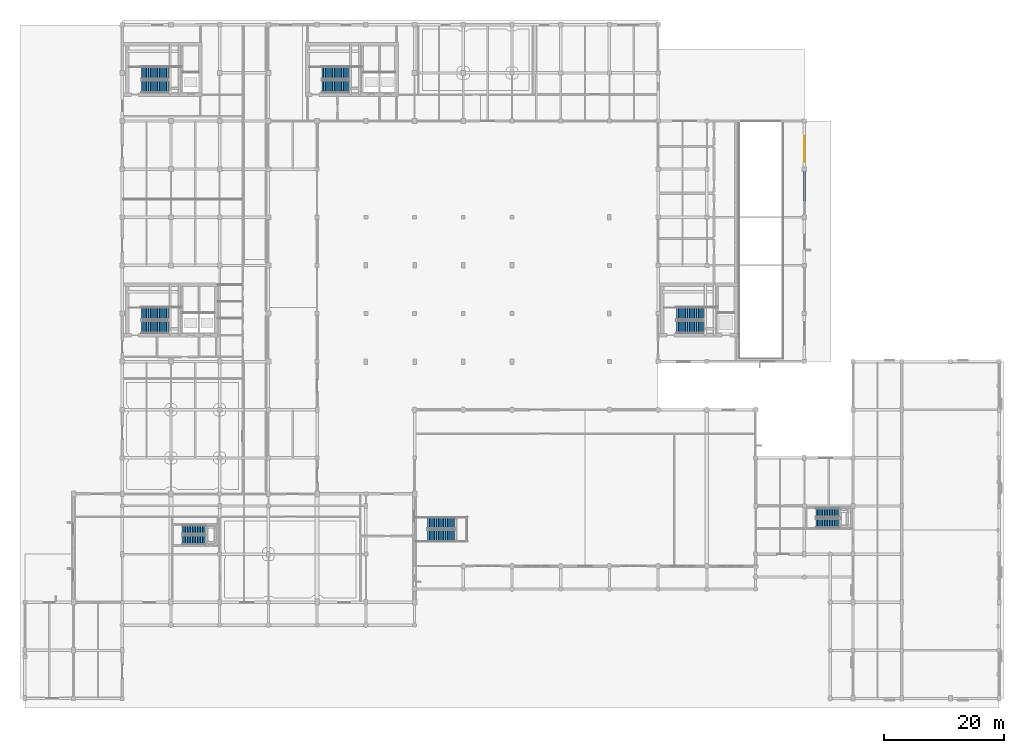
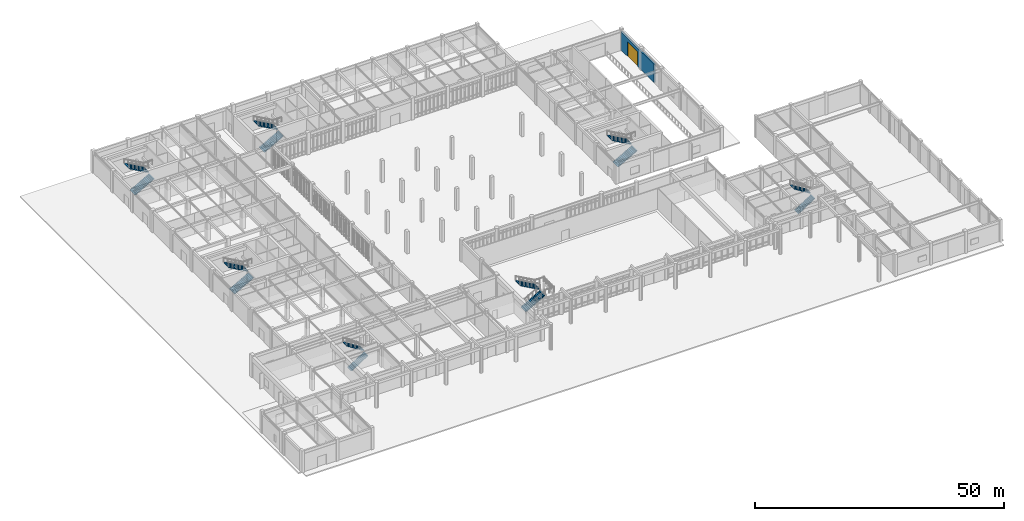
# One storey, part 49 of 62: 14 stair flights, 1 door, 1 wall, 1 opening, 7 elements without a shape of their own.
"""IFC4 building model written with IfcOpenShell, lengths in metres."""

from ifc_helpers import new_model, si_unit, direction, frame, frame_2d, origin, place, context, subcontext, project, spatial, polyline, rectangle, outline, extrude, material, layer, layer_set, type_object, element, fill, aggregate, save


model = new_model("IFC4")

# Units and contexts
model_context = context("Model", 3, precision=1e-05, world=origin(), true_north=direction((0.0, 1.0)))
body_context = subcontext(model_context, "Body", "Model", "MODEL_VIEW")
ifc_project = project(units=[si_unit("LENGTHUNIT", "METRE"), si_unit("AREAUNIT", "SQUARE_METRE"), si_unit("VOLUMEUNIT", "CUBIC_METRE"), si_unit("PLANEANGLEUNIT", "RADIAN"), si_unit("MASSUNIT", "GRAM", prefix="KILO")], contexts=[model_context])

# Site, building, storey
site_placement = place(None, origin())
site = spatial("IfcSite", under=ifc_project, at=site_placement, CompositionType="ELEMENT")
building_placement = place(site_placement, origin())
building = spatial("IfcBuilding", under=site, at=building_placement, Name="Tarnveldt Square Police Headquarters", CompositionType="ELEMENT")
storey_placement = place(building_placement, origin())
storey = spatial("IfcBuildingStorey", under=building, at=storey_placement, Name="L00", CompositionType="ELEMENT", Elevation=0.0)

# Wall, opening, door
ifc_material_1 = material(Name="Concrete 40 MPa", Category="concrete")
ifc_layer = layer(ifc_material_1, 0.35009765625)
ifc_layer_set = layer_set([ifc_layer], Name="Concrete 40 MPa")
wall_type = type_object("IfcWallType", Name="WL-CUST-350", PredefinedType="SOLIDWALL", material=ifc_layer_set)
wall_placement = place(storey_placement, frame((129.60009765625, 82.666748046875, 0.0), z_axis=(0.0, 0.0, 1.0), x_axis=(0.0, 1.0, 0.0)))
wall = element("IfcWall", 1, at=wall_placement, inside=storey, type_object=wall_type, Name="L00 Brutalist Exterior Wall 0053", PredefinedType="SOLIDWALL", context=body_context, shape_type="SweptSolid", body=[
    extrude(rectangle(XDim=13.333251953125, YDim=0.35009765625, at=frame_2d((6.66650390625, 0.0))), origin(), (0.0, 0.0, 1.0), 4.511962890625),
])
opening_placement = place(wall_placement, frame((6.566650390625, 0.0, 0.0)))
opening = element("IfcOpeningElement", 2, at=opening_placement, cuts=wall, Name="Opening D-SP2", PredefinedType="OPENING", context=body_context, shape_type="SweptSolid", body=[
    extrude(rectangle(XDim=4.199951171875, YDim=3.60009765625, at=frame_2d((2.10009765625, 1.800048828125))), frame((0.0, 0.18505859375, 0.0), z_axis=(0.0, -1.0, 0.0), x_axis=(1.0, 0.0, 0.0)), (0.0, 0.0, 1.0), 0.3701171875),
])
ifc_material_2 = material(Name="Steel 350W", Category="steel")
door_type = type_object("IfcDoorType", Name="GT-SP-4200", OperationType="ROLLINGUP", PredefinedType="GATE", material=ifc_material_2)
door_placement = place(opening_placement, frame((4.199951171875, 0.0, 0.0), z_axis=(0.0, 0.0, 1.0), x_axis=(-1.0, 0.0, 0.0)))
door = element("IfcDoor", 3, at=door_placement, inside=storey, type_object=door_type, Name="Secure Vehicular Sally-Port Gate D-SP2", OperationType="ROLLINGUP", OverallHeight=3.60009765625, OverallWidth=4.199951171875, PredefinedType="GATE", context=body_context, shape_type="SweptSolid", body=[
    extrude(rectangle(XDim=4.199951171875, YDim=3.60009765625, at=frame_2d((2.10009765625, 1.800048828125))), frame((0.0, 0.02490234375, 0.0), z_axis=(0.0, -1.0, 0.0), x_axis=(1.0, 0.0, 0.0)), (0.0, 0.0, 1.0), 0.050048828125),
])
fill(opening, door)

# Stair, stair flights
stair_type_1 = type_object("IfcStairType", Name="STR-HT-48A", PredefinedType="HALF_TURN_STAIR", material=ifc_material_1)
stair_1_placement = place(storey_placement, origin())
stair_1 = element("IfcStair", 4, at=stair_1_placement, inside=storey, type_object=stair_type_1, Name="L00 Core K1 Exit Stair ST1", PredefinedType="HALF_TURN_STAIR")
stair_flight_type_1 = type_object("IfcStairFlightType", Name="STF-HT-48A", PredefinedType="STRAIGHT", material=ifc_material_1)
stair_flight_1_placement = place(storey_placement, frame((19.3701171875, 61.7451171875, 0.0), z_axis=(0.0, 0.0, 1.0), x_axis=(1.0, 0.0, 0.0)))
stair_flight_1 = element("IfcStairFlight", 5, at=stair_flight_1_placement, type_object=stair_flight_type_1, Name="ST1 flight 1", NumberOfRisers=16, NumberOfTreads=15, PredefinedType="STRAIGHT", RiserHeight=0.16875, TreadLength=0.3, context=body_context, shape_type="SweptSolid", body=[
    extrude(outline(polyline([(0.0, 0.0), (0.0, 0.168701171875), (0.300048828125, 0.168701171875), (0.300048828125, 0.33740234375), (0.60009765625, 0.33740234375), (0.60009765625, 0.50634765625), (0.89990234375, 0.50634765625), (0.89990234375, 0.675048828125), (1.199951171875, 0.675048828125), (1.199951171875, 0.84375), (1.5, 0.84375), (1.5, 1.012451171875), (1.800048828125, 1.012451171875), (1.800048828125, 1.18115234375), (2.10009765625, 1.18115234375), (2.10009765625, 1.35009765625), (2.39990234375, 1.35009765625), (2.39990234375, 1.518798828125), (2.699951171875, 1.518798828125), (2.699951171875, 1.6875), (3.0, 1.6875), (3.0, 1.856201171875), (3.300048828125, 1.856201171875), (3.300048828125, 2.02490234375), (3.60009765625, 2.02490234375), (3.60009765625, 2.19384765625), (3.89990234375, 2.19384765625), (3.89990234375, 2.362548828125), (4.199951171875, 2.362548828125), (4.199951171875, 2.53125), (4.5, 2.53125), (4.5, 2.699951171875), (4.5, 2.359375), (0.3056640625, 0.0), (0.0, 0.0)])), frame((0.0, 1.02490234375, 0.0), z_axis=(0.0, -1.0, 0.0), x_axis=(1.0, 0.0, 0.0)), (0.0, 0.0, 1.0), 2.050048828125),
])
stair_flight_2_placement = place(storey_placement, frame((23.8701171875, 63.9951171875, 2.699951171875), z_axis=(0.0, 0.0, 1.0), x_axis=(-1.0, 0.0, 0.0)))
stair_flight_2 = element("IfcStairFlight", 6, at=stair_flight_2_placement, type_object=stair_flight_type_1, Name="ST1 flight 2", NumberOfRisers=16, NumberOfTreads=15, PredefinedType="STRAIGHT", RiserHeight=0.16875, TreadLength=0.3, context=body_context, shape_type="SweptSolid", body=[
    extrude(outline(polyline([(0.0, 0.0), (0.0, 0.168701171875), (0.300048828125, 0.168701171875), (0.300048828125, 0.33740234375), (0.60009765625, 0.33740234375), (0.60009765625, 0.50634765625), (0.89990234375, 0.50634765625), (0.89990234375, 0.675048828125), (1.199951171875, 0.675048828125), (1.199951171875, 0.84375), (1.5, 0.84375), (1.5, 1.012451171875), (1.800048828125, 1.012451171875), (1.800048828125, 1.18115234375), (2.10009765625, 1.18115234375), (2.10009765625, 1.35009765625), (2.39990234375, 1.35009765625), (2.39990234375, 1.518798828125), (2.699951171875, 1.518798828125), (2.699951171875, 1.6875), (3.0, 1.6875), (3.0, 1.856201171875), (3.300048828125, 1.856201171875), (3.300048828125, 2.02490234375), (3.60009765625, 2.02490234375), (3.60009765625, 2.19384765625), (3.89990234375, 2.19384765625), (3.89990234375, 2.362548828125), (4.199951171875, 2.362548828125), (4.199951171875, 2.53125), (4.5, 2.53125), (4.5, 2.699951171875), (4.5, 2.359375), (0.3056640625, 0.0), (0.0, 0.0)])), frame((0.0, 1.02490234375, 0.0), z_axis=(0.0, -1.0, 0.0), x_axis=(1.0, 0.0, 0.0)), (0.0, 0.0, 1.0), 2.050048828125),
])
aggregate(stair_1, [stair_flight_1, stair_flight_2])

stair_2_placement = place(storey_placement, origin())
stair_2 = element("IfcStair", 7, at=stair_2_placement, inside=storey, type_object=stair_type_1, Name="L00 Core K2 Exit Stair ST2", PredefinedType="HALF_TURN_STAIR")
stair_flight_3_placement = place(storey_placement, frame((19.3701171875, 101.7451171875, 0.0), z_axis=(0.0, 0.0, 1.0), x_axis=(1.0, 0.0, 0.0)))
stair_flight_3 = element("IfcStairFlight", 8, at=stair_flight_3_placement, type_object=stair_flight_type_1, Name="ST2 flight 1", NumberOfRisers=16, NumberOfTreads=15, PredefinedType="STRAIGHT", RiserHeight=0.16875, TreadLength=0.3, context=body_context, shape_type="SweptSolid", body=[
    extrude(outline(polyline([(0.0, 0.0), (0.0, 0.168701171875), (0.300048828125, 0.168701171875), (0.300048828125, 0.33740234375), (0.60009765625, 0.33740234375), (0.60009765625, 0.50634765625), (0.89990234375, 0.50634765625), (0.89990234375, 0.675048828125), (1.199951171875, 0.675048828125), (1.199951171875, 0.84375), (1.5, 0.84375), (1.5, 1.012451171875), (1.800048828125, 1.012451171875), (1.800048828125, 1.18115234375), (2.10009765625, 1.18115234375), (2.10009765625, 1.35009765625), (2.39990234375, 1.35009765625), (2.39990234375, 1.518798828125), (2.699951171875, 1.518798828125), (2.699951171875, 1.6875), (3.0, 1.6875), (3.0, 1.856201171875), (3.300048828125, 1.856201171875), (3.300048828125, 2.02490234375), (3.60009765625, 2.02490234375), (3.60009765625, 2.19384765625), (3.89990234375, 2.19384765625), (3.89990234375, 2.362548828125), (4.199951171875, 2.362548828125), (4.199951171875, 2.53125), (4.5, 2.53125), (4.5, 2.699951171875), (4.5, 2.359375), (0.3056640625, 0.0), (0.0, 0.0)])), frame((0.0, 1.02490234375, 0.0), z_axis=(0.0, -1.0, 0.0), x_axis=(1.0, 0.0, 0.0)), (0.0, 0.0, 1.0), 2.050048828125),
])
stair_flight_4_placement = place(storey_placement, frame((23.8701171875, 103.9951171875, 2.699951171875), z_axis=(0.0, 0.0, 1.0), x_axis=(-1.0, 0.0, 0.0)))
stair_flight_4 = element("IfcStairFlight", 9, at=stair_flight_4_placement, type_object=stair_flight_type_1, Name="ST2 flight 2", NumberOfRisers=16, NumberOfTreads=15, PredefinedType="STRAIGHT", RiserHeight=0.16875, TreadLength=0.3, context=body_context, shape_type="SweptSolid", body=[
    extrude(outline(polyline([(0.0, 0.0), (0.0, 0.168701171875), (0.300048828125, 0.168701171875), (0.300048828125, 0.33740234375), (0.60009765625, 0.33740234375), (0.60009765625, 0.50634765625), (0.89990234375, 0.50634765625), (0.89990234375, 0.675048828125), (1.199951171875, 0.675048828125), (1.199951171875, 0.84375), (1.5, 0.84375), (1.5, 1.012451171875), (1.800048828125, 1.012451171875), (1.800048828125, 1.18115234375), (2.10009765625, 1.18115234375), (2.10009765625, 1.35009765625), (2.39990234375, 1.35009765625), (2.39990234375, 1.518798828125), (2.699951171875, 1.518798828125), (2.699951171875, 1.6875), (3.0, 1.6875), (3.0, 1.856201171875), (3.300048828125, 1.856201171875), (3.300048828125, 2.02490234375), (3.60009765625, 2.02490234375), (3.60009765625, 2.19384765625), (3.89990234375, 2.19384765625), (3.89990234375, 2.362548828125), (4.199951171875, 2.362548828125), (4.199951171875, 2.53125), (4.5, 2.53125), (4.5, 2.699951171875), (4.5, 2.359375), (0.3056640625, 0.0), (0.0, 0.0)])), frame((0.0, 1.02490234375, 0.0), z_axis=(0.0, -1.0, 0.0), x_axis=(1.0, 0.0, 0.0)), (0.0, 0.0, 1.0), 2.050048828125),
])
aggregate(stair_2, [stair_flight_3, stair_flight_4])

stair_3_placement = place(storey_placement, origin())
stair_3 = element("IfcStair", 10, at=stair_3_placement, inside=storey, type_object=stair_type_1, Name="L00 Core K3 Exit Stair ST3", PredefinedType="HALF_TURN_STAIR")
stair_flight_5_placement = place(storey_placement, frame((49.3701171875, 101.7451171875, 0.0), z_axis=(0.0, 0.0, 1.0), x_axis=(1.0, 0.0, 0.0)))
stair_flight_5 = element("IfcStairFlight", 11, at=stair_flight_5_placement, type_object=stair_flight_type_1, Name="ST3 flight 1", NumberOfRisers=16, NumberOfTreads=15, PredefinedType="STRAIGHT", RiserHeight=0.16875, TreadLength=0.3, context=body_context, shape_type="SweptSolid", body=[
    extrude(outline(polyline([(0.0, 0.0), (0.0, 0.168701171875), (0.300048828125, 0.168701171875), (0.300048828125, 0.33740234375), (0.60009765625, 0.33740234375), (0.60009765625, 0.50634765625), (0.89990234375, 0.50634765625), (0.89990234375, 0.675048828125), (1.199951171875, 0.675048828125), (1.199951171875, 0.84375), (1.5, 0.84375), (1.5, 1.012451171875), (1.800048828125, 1.012451171875), (1.800048828125, 1.18115234375), (2.10009765625, 1.18115234375), (2.10009765625, 1.35009765625), (2.39990234375, 1.35009765625), (2.39990234375, 1.518798828125), (2.699951171875, 1.518798828125), (2.699951171875, 1.6875), (3.0, 1.6875), (3.0, 1.856201171875), (3.300048828125, 1.856201171875), (3.300048828125, 2.02490234375), (3.60009765625, 2.02490234375), (3.60009765625, 2.19384765625), (3.89990234375, 2.19384765625), (3.89990234375, 2.362548828125), (4.199951171875, 2.362548828125), (4.199951171875, 2.53125), (4.5, 2.53125), (4.5, 2.699951171875), (4.5, 2.359375), (0.3056640625, 0.0), (0.0, 0.0)])), frame((0.0, 1.02490234375, 0.0), z_axis=(0.0, -1.0, 0.0), x_axis=(1.0, 0.0, 0.0)), (0.0, 0.0, 1.0), 2.050048828125),
])
stair_flight_6_placement = place(storey_placement, frame((53.8701171875, 103.9951171875, 2.699951171875), z_axis=(0.0, 0.0, 1.0), x_axis=(-1.0, 0.0, 0.0)))
stair_flight_6 = element("IfcStairFlight", 12, at=stair_flight_6_placement, type_object=stair_flight_type_1, Name="ST3 flight 2", NumberOfRisers=16, NumberOfTreads=15, PredefinedType="STRAIGHT", RiserHeight=0.16875, TreadLength=0.3, context=body_context, shape_type="SweptSolid", body=[
    extrude(outline(polyline([(0.0, 0.0), (0.0, 0.168701171875), (0.300048828125, 0.168701171875), (0.300048828125, 0.33740234375), (0.60009765625, 0.33740234375), (0.60009765625, 0.50634765625), (0.89990234375, 0.50634765625), (0.89990234375, 0.675048828125), (1.199951171875, 0.675048828125), (1.199951171875, 0.84375), (1.5, 0.84375), (1.5, 1.012451171875), (1.800048828125, 1.012451171875), (1.800048828125, 1.18115234375), (2.10009765625, 1.18115234375), (2.10009765625, 1.35009765625), (2.39990234375, 1.35009765625), (2.39990234375, 1.518798828125), (2.699951171875, 1.518798828125), (2.699951171875, 1.6875), (3.0, 1.6875), (3.0, 1.856201171875), (3.300048828125, 1.856201171875), (3.300048828125, 2.02490234375), (3.60009765625, 2.02490234375), (3.60009765625, 2.19384765625), (3.89990234375, 2.19384765625), (3.89990234375, 2.362548828125), (4.199951171875, 2.362548828125), (4.199951171875, 2.53125), (4.5, 2.53125), (4.5, 2.699951171875), (4.5, 2.359375), (0.3056640625, 0.0), (0.0, 0.0)])), frame((0.0, 1.02490234375, 0.0), z_axis=(0.0, -1.0, 0.0), x_axis=(1.0, 0.0, 0.0)), (0.0, 0.0, 1.0), 2.050048828125),
])
aggregate(stair_3, [stair_flight_5, stair_flight_6])

stair_type_2 = type_object("IfcStairType", Name="STR-HT-48B", PredefinedType="HALF_TURN_STAIR", material=ifc_material_1)
stair_4_placement = place(storey_placement, origin())
stair_4 = element("IfcStair", 13, at=stair_4_placement, inside=storey, type_object=stair_type_2, Name="L00 Core K4 Exit Stair ST4", PredefinedType="HALF_TURN_STAIR")
stair_flight_type_2 = type_object("IfcStairFlightType", Name="STF-HT-48B", PredefinedType="STRAIGHT", material=ifc_material_1)
stair_flight_7_placement = place(storey_placement, frame((108.3701171875, 61.7451171875, 0.0), z_axis=(0.0, 0.0, 1.0), x_axis=(1.0, 0.0, 0.0)))
stair_flight_7 = element("IfcStairFlight", 14, at=stair_flight_7_placement, type_object=stair_flight_type_2, Name="ST4 flight 1", NumberOfRisers=16, NumberOfTreads=15, PredefinedType="STRAIGHT", RiserHeight=0.16875, TreadLength=0.3, context=body_context, shape_type="SweptSolid", body=[
    extrude(outline(polyline([(0.0, 0.0), (0.0, 0.168701171875), (0.300048828125, 0.168701171875), (0.300048828125, 0.33740234375), (0.60009765625, 0.33740234375), (0.60009765625, 0.50634765625), (0.89990234375, 0.50634765625), (0.89990234375, 0.675048828125), (1.199951171875, 0.675048828125), (1.199951171875, 0.84375), (1.5, 0.84375), (1.5, 1.012451171875), (1.800048828125, 1.012451171875), (1.800048828125, 1.18115234375), (2.10009765625, 1.18115234375), (2.10009765625, 1.35009765625), (2.39990234375, 1.35009765625), (2.39990234375, 1.518798828125), (2.699951171875, 1.518798828125), (2.699951171875, 1.6875), (3.0, 1.6875), (3.0, 1.856201171875), (3.300048828125, 1.856201171875), (3.300048828125, 2.02490234375), (3.60009765625, 2.02490234375), (3.60009765625, 2.19384765625), (3.89990234375, 2.19384765625), (3.89990234375, 2.362548828125), (4.199951171875, 2.362548828125), (4.199951171875, 2.53125), (4.5, 2.53125), (4.5, 2.699951171875), (4.5, 2.359375), (0.3056640625, 0.0), (0.0, 0.0)])), frame((0.0, 1.02490234375, 0.0), z_axis=(0.0, -1.0, 0.0), x_axis=(1.0, 0.0, 0.0)), (0.0, 0.0, 1.0), 2.050048828125),
])
stair_flight_8_placement = place(storey_placement, frame((112.8701171875, 63.9951171875, 2.699951171875), z_axis=(0.0, 0.0, 1.0), x_axis=(-1.0, 0.0, 0.0)))
stair_flight_8 = element("IfcStairFlight", 15, at=stair_flight_8_placement, type_object=stair_flight_type_2, Name="ST4 flight 2", NumberOfRisers=16, NumberOfTreads=15, PredefinedType="STRAIGHT", RiserHeight=0.16875, TreadLength=0.3, context=body_context, shape_type="SweptSolid", body=[
    extrude(outline(polyline([(0.0, 0.0), (0.0, 0.168701171875), (0.300048828125, 0.168701171875), (0.300048828125, 0.33740234375), (0.60009765625, 0.33740234375), (0.60009765625, 0.50634765625), (0.89990234375, 0.50634765625), (0.89990234375, 0.675048828125), (1.199951171875, 0.675048828125), (1.199951171875, 0.84375), (1.5, 0.84375), (1.5, 1.012451171875), (1.800048828125, 1.012451171875), (1.800048828125, 1.18115234375), (2.10009765625, 1.18115234375), (2.10009765625, 1.35009765625), (2.39990234375, 1.35009765625), (2.39990234375, 1.518798828125), (2.699951171875, 1.518798828125), (2.699951171875, 1.6875), (3.0, 1.6875), (3.0, 1.856201171875), (3.300048828125, 1.856201171875), (3.300048828125, 2.02490234375), (3.60009765625, 2.02490234375), (3.60009765625, 2.19384765625), (3.89990234375, 2.19384765625), (3.89990234375, 2.362548828125), (4.199951171875, 2.362548828125), (4.199951171875, 2.53125), (4.5, 2.53125), (4.5, 2.699951171875), (4.5, 2.359375), (0.3056640625, 0.0), (0.0, 0.0)])), frame((0.0, 1.02490234375, 0.0), z_axis=(0.0, -1.0, 0.0), x_axis=(1.0, 0.0, 0.0)), (0.0, 0.0, 1.0), 2.050048828125),
])
aggregate(stair_4, [stair_flight_7, stair_flight_8])

stair_type_3 = type_object("IfcStairType", Name="STR-HT-48C", PredefinedType="HALF_TURN_STAIR", material=ifc_material_1)
stair_5_placement = place(storey_placement, origin())
stair_5 = element("IfcStair", 16, at=stair_5_placement, inside=storey, type_object=stair_type_3, Name="L00 Plinth and Command Lantern Exit Stair ST6", PredefinedType="HALF_TURN_STAIR")
stair_flight_type_3 = type_object("IfcStairFlightType", Name="STF-HT-48C", PredefinedType="STRAIGHT", material=ifc_material_1)
stair_flight_9_placement = place(storey_placement, frame((26.169921875, 26.340087890625, 0.0), z_axis=(0.0, 0.0, 1.0), x_axis=(1.0, 0.0, 0.0)))
stair_flight_9 = element("IfcStairFlight", 17, at=stair_flight_9_placement, type_object=stair_flight_type_3, Name="ST6 flight 1", NumberOfRisers=15, NumberOfTreads=14, PredefinedType="STRAIGHT", RiserHeight=0.18, TreadLength=0.28, context=body_context, shape_type="SweptSolid", body=[
    extrude(outline(polyline([(0.0, 0.0), (0.0, 0.179931640625), (0.280029296875, 0.179931640625), (0.280029296875, 0.360107421875), (0.56005859375, 0.360107421875), (0.56005859375, 0.5400390625), (0.840087890625, 0.5400390625), (0.840087890625, 0.719970703125), (1.1201171875, 0.719970703125), (1.1201171875, 0.89990234375), (1.39990234375, 0.89990234375), (1.39990234375, 1.080078125), (1.679931640625, 1.080078125), (1.679931640625, 1.260009765625), (1.9599609375, 1.260009765625), (1.9599609375, 1.43994140625), (2.239990234375, 1.43994140625), (2.239990234375, 1.6201171875), (2.52001953125, 1.6201171875), (2.52001953125, 1.800048828125), (2.800048828125, 1.800048828125), (2.800048828125, 1.97998046875), (3.080078125, 1.97998046875), (3.080078125, 2.159912109375), (3.360107421875, 2.159912109375), (3.360107421875, 2.340087890625), (3.639892578125, 2.340087890625), (3.639892578125, 2.52001953125), (3.919921875, 2.52001953125), (3.919921875, 2.699951171875), (3.919921875, 2.341796875), (0.277099609375, 0.0), (0.0, 0.0)])), frame((0.0, 0.760009765625, 0.0), z_axis=(0.0, -1.0, 0.0), x_axis=(1.0, 0.0, 0.0)), (0.0, 0.0, 1.0), 1.52001953125),
])
stair_flight_10_placement = place(storey_placement, frame((30.090087890625, 28.06005859375, 2.699951171875), z_axis=(0.0, 0.0, 1.0), x_axis=(-1.0, 0.0, 0.0)))
stair_flight_10 = element("IfcStairFlight", 18, at=stair_flight_10_placement, type_object=stair_flight_type_3, Name="ST6 flight 2", NumberOfRisers=15, NumberOfTreads=14, PredefinedType="STRAIGHT", RiserHeight=0.18, TreadLength=0.28, context=body_context, shape_type="SweptSolid", body=[
    extrude(outline(polyline([(0.0, 0.0), (0.0, 0.179931640625), (0.280029296875, 0.179931640625), (0.280029296875, 0.360107421875), (0.56005859375, 0.360107421875), (0.56005859375, 0.5400390625), (0.840087890625, 0.5400390625), (0.840087890625, 0.719970703125), (1.1201171875, 0.719970703125), (1.1201171875, 0.89990234375), (1.39990234375, 0.89990234375), (1.39990234375, 1.080078125), (1.679931640625, 1.080078125), (1.679931640625, 1.260009765625), (1.9599609375, 1.260009765625), (1.9599609375, 1.43994140625), (2.239990234375, 1.43994140625), (2.239990234375, 1.6201171875), (2.52001953125, 1.6201171875), (2.52001953125, 1.800048828125), (2.800048828125, 1.800048828125), (2.800048828125, 1.97998046875), (3.080078125, 1.97998046875), (3.080078125, 2.159912109375), (3.360107421875, 2.159912109375), (3.360107421875, 2.340087890625), (3.639892578125, 2.340087890625), (3.639892578125, 2.52001953125), (3.919921875, 2.52001953125), (3.919921875, 2.699951171875), (3.919921875, 2.341796875), (0.277099609375, 0.0), (0.0, 0.0)])), frame((0.0, 0.760009765625, 0.0), z_axis=(0.0, -1.0, 0.0), x_axis=(1.0, 0.0, 0.0)), (0.0, 0.0, 1.0), 1.52001953125),
])
aggregate(stair_5, [stair_flight_9, stair_flight_10])

stair_6_placement = place(storey_placement, origin())
stair_6 = element("IfcStair", 19, at=stair_6_placement, inside=storey, type_object=stair_type_3, Name="L00 East Hall Exit Stair ST7", PredefinedType="HALF_TURN_STAIR")
stair_flight_11_placement = place(storey_placement, frame((131.52001953125, 29.139892578125, 0.0), z_axis=(0.0, 0.0, 1.0), x_axis=(1.0, 0.0, 0.0)))
stair_flight_11 = element("IfcStairFlight", 20, at=stair_flight_11_placement, type_object=stair_flight_type_3, Name="ST7 flight 1", NumberOfRisers=15, NumberOfTreads=14, PredefinedType="STRAIGHT", RiserHeight=0.18, TreadLength=0.28, context=body_context, shape_type="SweptSolid", body=[
    extrude(outline(polyline([(0.0, 0.0), (0.0, 0.179931640625), (0.280029296875, 0.179931640625), (0.280029296875, 0.360107421875), (0.56005859375, 0.360107421875), (0.56005859375, 0.5400390625), (0.840087890625, 0.5400390625), (0.840087890625, 0.719970703125), (1.1201171875, 0.719970703125), (1.1201171875, 0.89990234375), (1.39990234375, 0.89990234375), (1.39990234375, 1.080078125), (1.679931640625, 1.080078125), (1.679931640625, 1.260009765625), (1.9599609375, 1.260009765625), (1.9599609375, 1.43994140625), (2.239990234375, 1.43994140625), (2.239990234375, 1.6201171875), (2.52001953125, 1.6201171875), (2.52001953125, 1.800048828125), (2.800048828125, 1.800048828125), (2.800048828125, 1.97998046875), (3.080078125, 1.97998046875), (3.080078125, 2.159912109375), (3.360107421875, 2.159912109375), (3.360107421875, 2.340087890625), (3.639892578125, 2.340087890625), (3.639892578125, 2.52001953125), (3.919921875, 2.52001953125), (3.919921875, 2.699951171875), (3.919921875, 2.341796875), (0.277099609375, 0.0), (0.0, 0.0)])), frame((0.0, 0.760009765625, 0.0), z_axis=(0.0, -1.0, 0.0), x_axis=(1.0, 0.0, 0.0)), (0.0, 0.0, 1.0), 1.52001953125),
])
stair_flight_12_placement = place(storey_placement, frame((135.43994140625, 30.860107421875, 2.699951171875), z_axis=(0.0, 0.0, 1.0), x_axis=(-1.0, 0.0, 0.0)))
stair_flight_12 = element("IfcStairFlight", 21, at=stair_flight_12_placement, type_object=stair_flight_type_3, Name="ST7 flight 2", NumberOfRisers=15, NumberOfTreads=14, PredefinedType="STRAIGHT", RiserHeight=0.18, TreadLength=0.28, context=body_context, shape_type="SweptSolid", body=[
    extrude(outline(polyline([(0.0, 0.0), (0.0, 0.179931640625), (0.280029296875, 0.179931640625), (0.280029296875, 0.360107421875), (0.56005859375, 0.360107421875), (0.56005859375, 0.5400390625), (0.840087890625, 0.5400390625), (0.840087890625, 0.719970703125), (1.1201171875, 0.719970703125), (1.1201171875, 0.89990234375), (1.39990234375, 0.89990234375), (1.39990234375, 1.080078125), (1.679931640625, 1.080078125), (1.679931640625, 1.260009765625), (1.9599609375, 1.260009765625), (1.9599609375, 1.43994140625), (2.239990234375, 1.43994140625), (2.239990234375, 1.6201171875), (2.52001953125, 1.6201171875), (2.52001953125, 1.800048828125), (2.800048828125, 1.800048828125), (2.800048828125, 1.97998046875), (3.080078125, 1.97998046875), (3.080078125, 2.159912109375), (3.360107421875, 2.159912109375), (3.360107421875, 2.340087890625), (3.639892578125, 2.340087890625), (3.639892578125, 2.52001953125), (3.919921875, 2.52001953125), (3.919921875, 2.699951171875), (3.919921875, 2.341796875), (0.277099609375, 0.0), (0.0, 0.0)])), frame((0.0, 0.760009765625, 0.0), z_axis=(0.0, -1.0, 0.0), x_axis=(1.0, 0.0, 0.0)), (0.0, 0.0, 1.0), 1.52001953125),
])
aggregate(stair_6, [stair_flight_11, stair_flight_12])

stair_type_4 = type_object("IfcStairType", Name="STR-MON-54", PredefinedType="STRAIGHT_RUN_STAIR", material=ifc_material_1)
stair_7_placement = place(storey_placement, origin())
stair_7 = element("IfcStair", 22, at=stair_7_placement, inside=storey, type_object=stair_type_4, Name="L00 Entrance Hall Monumental Stair ST5", PredefinedType="STRAIGHT_RUN_STAIR")
stair_flight_type_4 = type_object("IfcStairFlightType", Name="STF-MON-54", PredefinedType="STRAIGHT", material=ifc_material_1)
stair_flight_13_placement = place(storey_placement, frame((66.949951171875, 27.02490234375, 0.0), z_axis=(0.0, 0.0, 1.0), x_axis=(1.0, 0.0, 0.0)))
stair_flight_13 = element("IfcStairFlight", 23, at=stair_flight_13_placement, type_object=stair_flight_type_4, Name="ST5 flight 1", NumberOfRisers=16, NumberOfTreads=15, PredefinedType="STRAIGHT", RiserHeight=0.16875, TreadLength=0.3, context=body_context, shape_type="SweptSolid", body=[
    extrude(outline(polyline([(0.0, 0.0), (0.0, 0.168701171875), (0.300048828125, 0.168701171875), (0.300048828125, 0.33740234375), (0.60009765625, 0.33740234375), (0.60009765625, 0.50634765625), (0.89990234375, 0.50634765625), (0.89990234375, 0.675048828125), (1.199951171875, 0.675048828125), (1.199951171875, 0.84375), (1.5, 0.84375), (1.5, 1.012451171875), (1.800048828125, 1.012451171875), (1.800048828125, 1.18115234375), (2.10009765625, 1.18115234375), (2.10009765625, 1.35009765625), (2.39990234375, 1.35009765625), (2.39990234375, 1.518798828125), (2.699951171875, 1.518798828125), (2.699951171875, 1.6875), (3.0, 1.6875), (3.0, 1.856201171875), (3.300048828125, 1.856201171875), (3.300048828125, 2.02490234375), (3.60009765625, 2.02490234375), (3.60009765625, 2.19384765625), (3.89990234375, 2.19384765625), (3.89990234375, 2.362548828125), (4.199951171875, 2.362548828125), (4.199951171875, 2.53125), (4.5, 2.53125), (4.5, 2.699951171875), (4.5, 2.34765625), (0.326171875, 0.0), (0.0, 0.0)])), frame((0.0, 0.97509765625, 0.0), z_axis=(0.0, -1.0, 0.0), x_axis=(1.0, 0.0, 0.0)), (0.0, 0.0, 1.0), 1.949951171875),
])
stair_flight_14_placement = place(storey_placement, frame((71.449951171875, 29.175048828125, 2.699951171875), z_axis=(0.0, 0.0, 1.0), x_axis=(-1.0, 0.0, 0.0)))
stair_flight_14 = element("IfcStairFlight", 24, at=stair_flight_14_placement, type_object=stair_flight_type_4, Name="ST5 flight 2", NumberOfRisers=16, NumberOfTreads=15, PredefinedType="STRAIGHT", RiserHeight=0.16875, TreadLength=0.3, context=body_context, shape_type="SweptSolid", body=[
    extrude(outline(polyline([(0.0, 0.0), (0.0, 0.168701171875), (0.300048828125, 0.168701171875), (0.300048828125, 0.33740234375), (0.60009765625, 0.33740234375), (0.60009765625, 0.50634765625), (0.89990234375, 0.50634765625), (0.89990234375, 0.675048828125), (1.199951171875, 0.675048828125), (1.199951171875, 0.84375), (1.5, 0.84375), (1.5, 1.012451171875), (1.800048828125, 1.012451171875), (1.800048828125, 1.18115234375), (2.10009765625, 1.18115234375), (2.10009765625, 1.35009765625), (2.39990234375, 1.35009765625), (2.39990234375, 1.518798828125), (2.699951171875, 1.518798828125), (2.699951171875, 1.6875), (3.0, 1.6875), (3.0, 1.856201171875), (3.300048828125, 1.856201171875), (3.300048828125, 2.02490234375), (3.60009765625, 2.02490234375), (3.60009765625, 2.19384765625), (3.89990234375, 2.19384765625), (3.89990234375, 2.362548828125), (4.199951171875, 2.362548828125), (4.199951171875, 2.53125), (4.5, 2.53125), (4.5, 2.699951171875), (4.5, 2.34765625), (0.326171875, 0.0), (0.0, 0.0)])), frame((0.0, 0.97509765625, 0.0), z_axis=(0.0, -1.0, 0.0), x_axis=(1.0, 0.0, 0.0)), (0.0, 0.0, 1.0), 1.949951171875),
])
aggregate(stair_7, [stair_flight_13, stair_flight_14])

save(model, "model.ifc")
